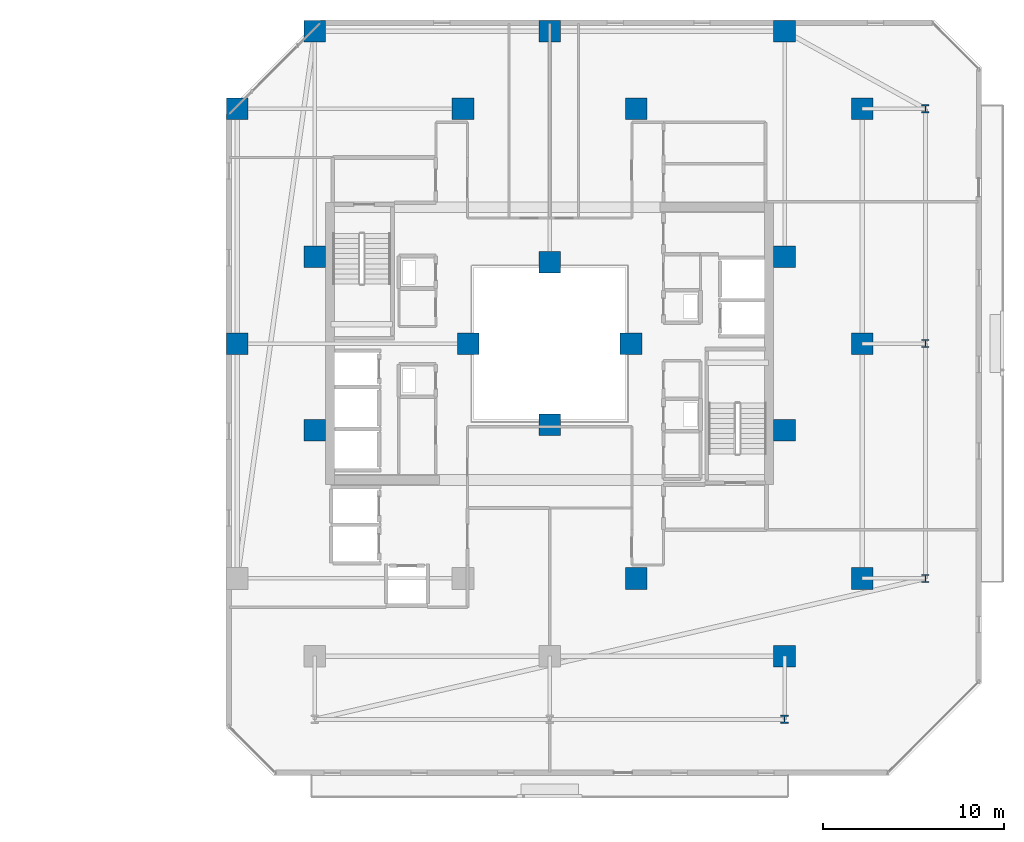
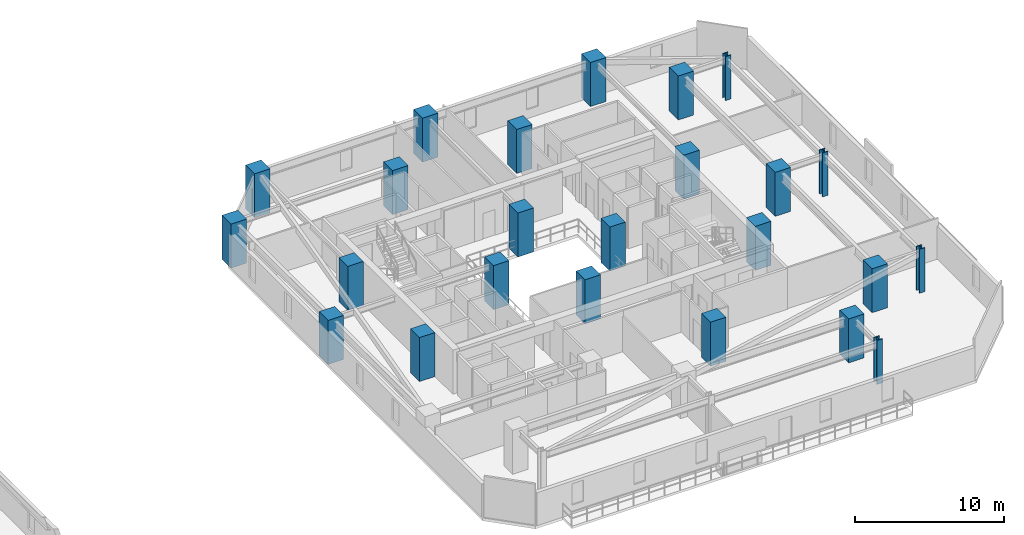
# One storey, part 2 of 33: 24 columns.
"""IFC4 building model written with IfcOpenShell, lengths in metres."""

from ifc_helpers import new_model, si_unit, direction, frame, origin, origin_2d, place, context, subcontext, project, spatial, rectangle, i_section, extrude, material, material_profile, profile_set, type_object, element, save


model = new_model("IFC4")

# Units and contexts
model_context = context("Model", 3, precision=1e-05, world=origin(), true_north=direction((0.0, 1.0)))
body_context = subcontext(model_context, "Body", "Model", "MODEL_VIEW")
ifc_project = project(units=[si_unit("LENGTHUNIT", "METRE"), si_unit("AREAUNIT", "SQUARE_METRE"), si_unit("VOLUMEUNIT", "CUBIC_METRE"), si_unit("PLANEANGLEUNIT", "RADIAN"), si_unit("MASSUNIT", "GRAM", prefix="KILO")], contexts=[model_context])

# Site, building, storey
site_placement = place(None, origin())
site = spatial("IfcSite", under=ifc_project, at=site_placement, CompositionType="ELEMENT")
building_placement = place(site_placement, origin())
building = spatial("IfcBuilding", under=site, at=building_placement, Name="Thornwick Lancets Civic Towers", CompositionType="ELEMENT")
storey_placement = place(building_placement, frame((0.0, 0.0, 134.10009765625)))
storey = spatial("IfcBuildingStorey", under=building, at=storey_placement, Name="L35", CompositionType="ELEMENT", Elevation=134.10009765625)

# Columns
ifc_material_1 = material(Name="Concrete C60/75", Category="concrete")
ifc_material_profile_1 = material_profile(ifc_material_1, rectangle(XDim=1.199951171875, YDim=1.199951171875, at=origin_2d()), Name="RC 1200x1200")
ifc_profile_set_1 = profile_set([ifc_material_profile_1], Name="Concrete C60/75")
column_type_1 = type_object("IfcColumnType", Name="COL_RC_1200", PredefinedType="COLUMN", material=ifc_profile_set_1)
for number, where, z_axis, x_axis, name in (
    (1, (105.800048828125, 14.0, 0.0), (0.0, 0.0, 1.0), (1.0, 0.0, 0.0), "L35 Spine Mega-Column B01"),
    (2, (105.800048828125, 27.0, 0.0), (0.0, 0.0, 1.0), (1.0, 0.0, 0.0), "L35 Spine Mega-Column B02"),
    (3, (105.800048828125, 40.0, 0.0), (0.0, 0.0, 1.0), (1.0, 0.0, 0.0), "L35 Spine Mega-Column B03"),
    (4, (101.5, 44.300048828125, 0.0), (0.0, 0.0, 1.0), (1.0, 0.0, 0.0), "L35 Spine Mega-Column B04"),
    (5, (88.5, 44.300048828125, 0.0), (0.0, 0.0, 1.0), (1.0, 0.0, 0.0), "L35 Spine Mega-Column B05"),
    (6, (75.5, 44.300048828125, 0.0), (0.0, 0.0, 1.0), (1.0, 0.0, 0.0), "L35 Spine Mega-Column B06"),
    (7, (71.199951171875, 27.0, 0.0), (0.0, 0.0, 1.0), (1.0, 0.0, 0.0), "L35 Spine Mega-Column B08"),
    (8, (71.199951171875, 40.0, 0.0), (0.0, 0.0, 1.0), (1.0, 0.0, 0.0), "L35 Spine Mega-Column B09"),
    (9, (101.5, 9.699951171875, 0.0), (0.0, 0.0, 1.0), (1.0, 0.0, 0.0), "L35 Spine Mega-Column B10"),
    (10, (93.300048828125, 14.0, 0.0), (0.0, 0.0, 1.0), (1.0, 0.0, 0.0), "L35 Spine Mega-Column B13"),
    (11, (93.300048828125, 40.0, 0.0), (0.0, 0.0, 1.0), (1.0, 0.0, 0.0), "L35 Spine Mega-Column B14"),
    (12, (83.699951171875, 40.0, 0.0), (0.0, 0.0, 1.0), (1.0, 0.0, 0.0), "L35 Spine Mega-Column B16"),
    (13, (101.5, 22.199951171875, 0.0), (0.0, 0.0, 1.0), (1.0, 0.0, 0.0), "L35 Spine Mega-Column B17"),
    (14, (101.5, 31.800048828125, 0.0), (0.0, 0.0, 1.0), (1.0, 0.0, 0.0), "L35 Spine Mega-Column B18"),
    (15, (75.5, 22.199951171875, 0.0), (0.0, 0.0, 1.0), (1.0, 0.0, 0.0), "L35 Spine Mega-Column B19"),
    (16, (75.5, 31.800048828125, 0.0), (0.0, 0.0, 1.0), (1.0, 0.0, 0.0), "L35 Spine Mega-Column B20"),
    (17, (93.0, 27.0, 0.0), (0.0, 0.0, 1.0), (1.0, 0.0, 0.0), "L35 Spine Mega-Column B21"),
    (18, (84.0, 27.0, 0.0), (0.0, 0.0, 1.0), (1.0, 0.0, 0.0), "L35 Spine Mega-Column B22"),
    (19, (88.5, 22.5, 0.0), (0.0, 0.0, 1.0), (1.0, 0.0, 0.0), "L35 Spine Mega-Column B23"),
    (20, (88.5, 31.5, 0.0), (0.0, 0.0, 1.0), (1.0, 0.0, 0.0), "L35 Spine Mega-Column B24"),
):
    element("IfcColumn", number, at=place(storey_placement, frame(where, z_axis=z_axis, x_axis=x_axis)), inside=storey, type_object=column_type_1, Name=name, PredefinedType="COLUMN", context=body_context, shape_type="SweptSolid", body=[
        extrude(rectangle(XDim=1.199951171875, YDim=1.199951171875, at=origin_2d()), origin(), (0.0, 0.0, 1.0), 3.599853515625),
    ])
ifc_material_2 = material(Name="Steel S460M", Category="steel")
ifc_material_profile_2 = material_profile(ifc_material_2, i_section(OverallWidth=0.41845703125, OverallDepth=0.45556640625, WebThickness=0.0419921875, FlangeThickness=0.0673828125, FilletRadius=0.01513671875, at=origin_2d()), Name="UKC 356x406x551")
ifc_profile_set_2 = profile_set([ifc_material_profile_2], Name="Steel S460M")
column_type_2 = type_object("IfcColumnType", Name="COL_UKC_551", PredefinedType="COLUMN", material=ifc_profile_set_2)
for number, where, z_axis, x_axis, name in (
    (21, (109.300048828125, 14.0, 0.0), (0.0, 0.0, 1.0), (1.0, 0.0, 0.0), "L35 Block Perimeter Column B01"),
    (22, (109.300048828125, 27.0, 0.0), (0.0, 0.0, 1.0), (1.0, 0.0, 0.0), "L35 Block Perimeter Column B02"),
    (23, (109.300048828125, 40.0, 0.0), (0.0, 0.0, 1.0), (1.0, 0.0, 0.0), "L35 Block Perimeter Column B03"),
    (24, (101.5, 6.199951171875, 0.0), (0.0, 0.0, 1.0), (1.0, 0.0, 0.0), "L35 Block Perimeter Column B10"),
):
    element("IfcColumn", number, at=place(storey_placement, frame(where, z_axis=z_axis, x_axis=x_axis)), inside=storey, type_object=column_type_2, Name=name, PredefinedType="COLUMN", context=body_context, shape_type="SweptSolid", body=[
        extrude(i_section(OverallWidth=0.41845703125, OverallDepth=0.45556640625, WebThickness=0.0419921875, FlangeThickness=0.0673828125, FilletRadius=0.01513671875, at=origin_2d()), origin(), (0.0, 0.0, 1.0), 3.599853515625),
    ])

save(model, "model.ifc")
